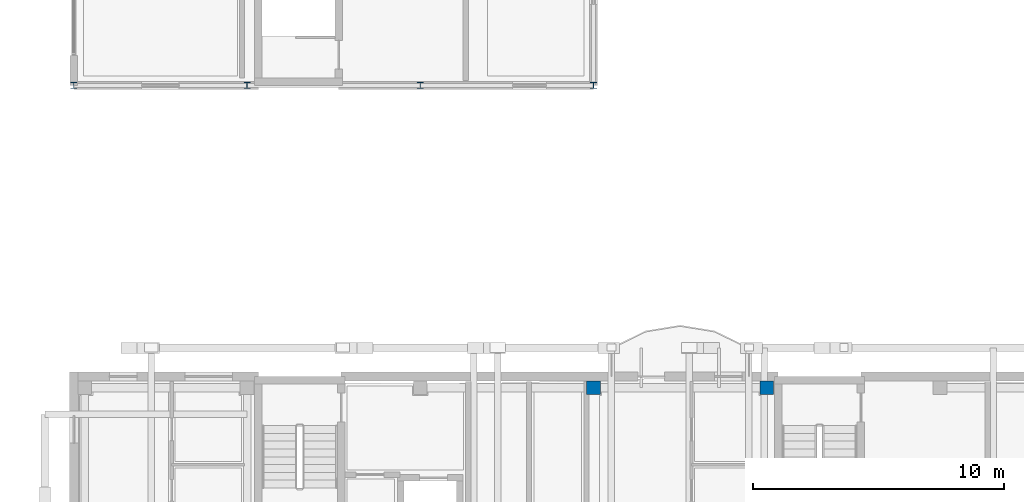
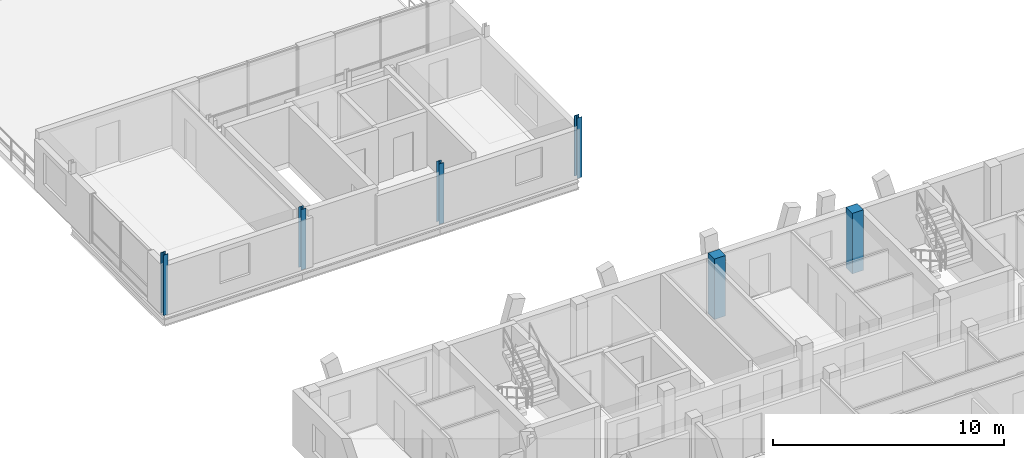
# One storey, part 2 of 109: 6 columns.
"""IFC4 building model written with IfcOpenShell, lengths in metres."""

from ifc_helpers import new_model, si_unit, direction, frame, origin, origin_2d, place, context, subcontext, project, spatial, rectangle, i_section, extrude, material, material_profile, profile_set, type_object, element, save


model = new_model("IFC4")

# Units and contexts
model_context = context("Model", 3, precision=1e-05, world=origin(), true_north=direction((0.0, 1.0)))
body_context = subcontext(model_context, "Body", "Model", "MODEL_VIEW")
ifc_project = project(units=[si_unit("LENGTHUNIT", "METRE"), si_unit("AREAUNIT", "SQUARE_METRE"), si_unit("VOLUMEUNIT", "CUBIC_METRE"), si_unit("PLANEANGLEUNIT", "RADIAN"), si_unit("MASSUNIT", "GRAM", prefix="KILO")], contexts=[model_context])

# Site, building, storey
site_placement = place(None, origin())
site = spatial("IfcSite", under=ifc_project, at=site_placement, CompositionType="ELEMENT")
building_placement = place(site_placement, origin())
building = spatial("IfcBuilding", under=site, at=building_placement, Name="Zavelmont Quarter", CompositionType="ELEMENT")
storey_placement = place(building_placement, frame((0.0, 0.0, 8.0)))
storey = spatial("IfcBuildingStorey", under=building, at=storey_placement, Name="L02", CompositionType="ELEMENT", Elevation=8.0)

# Columns
ifc_material_1 = material(Name="Concrete C40/50", Category="concrete")
ifc_material_profile_1 = material_profile(ifc_material_1, rectangle(XDim=0.550048828125, YDim=0.550048828125, at=origin_2d()), Name="RC550X550")
ifc_profile_set_1 = profile_set([ifc_material_profile_1], Name="Concrete C40/50")
column_type_1 = type_object("IfcColumnType", Name="CL02", PredefinedType="COLUMN", material=ifc_profile_set_1)
for number, where, z_axis, x_axis, name in (
    (1, (20.699951171875, 17.9599609375, 0.0), (0.0, 0.0, 1.0), (1.0, 0.0, 0.0), "L02 column CL02 at 4/D"),
    (2, (27.60009765625, 17.9599609375, 0.0), (0.0, 0.0, 1.0), (1.0, 0.0, 0.0), "L02 column CL02 at 5/D"),
):
    element("IfcColumn", number, at=place(storey_placement, frame(where, z_axis=z_axis, x_axis=x_axis)), inside=storey, type_object=column_type_1, Name=name, PredefinedType="COLUMN", context=body_context, shape_type="SweptSolid", body=[
        extrude(rectangle(XDim=0.550048828125, YDim=0.550048828125, at=origin_2d()), origin(), (0.0, 0.0, 1.0), 3.199951171875),
    ])
ifc_material_2 = material(Name="Steel S355", Category="steel")
ifc_material_profile_2 = material_profile(ifc_material_2, i_section(OverallWidth=0.239990234375, OverallDepth=0.239990234375, WebThickness=0.010009765625, FlangeThickness=0.01708984375, at=origin_2d()), Name="HEB 240")
ifc_profile_set_2 = profile_set([ifc_material_profile_2], Name="Steel S355")
column_type_2 = type_object("IfcColumnType", Name="CL11", PredefinedType="COLUMN", material=ifc_profile_set_2)
for number, where, z_axis, x_axis, name in (
    (3, (0.0, 30.0, 0.0), (0.0, 0.0, 1.0), (1.0, 0.0, 0.0), "L02 column CL11 at 1/F"),
    (4, (6.89990234375, 30.0, 0.0), (0.0, 0.0, 1.0), (1.0, 0.0, 0.0), "L02 column CL11 at 2/F"),
    (5, (13.800048828125, 30.0, 0.0), (0.0, 0.0, 1.0), (1.0, 0.0, 0.0), "L02 column CL11 at 3/F"),
    (6, (20.699951171875, 30.0, 0.0), (0.0, 0.0, 1.0), (1.0, 0.0, 0.0), "L02 column CL11 at 4/F"),
):
    element("IfcColumn", number, at=place(storey_placement, frame(where, z_axis=z_axis, x_axis=x_axis)), inside=storey, type_object=column_type_2, Name=name, PredefinedType="COLUMN", context=body_context, shape_type="SweptSolid", body=[
        extrude(i_section(OverallWidth=0.239990234375, OverallDepth=0.239990234375, WebThickness=0.010009765625, FlangeThickness=0.01708984375, at=origin_2d()), origin(), (0.0, 0.0, 1.0), 3.199951171875),
    ])

save(model, "model.ifc")
